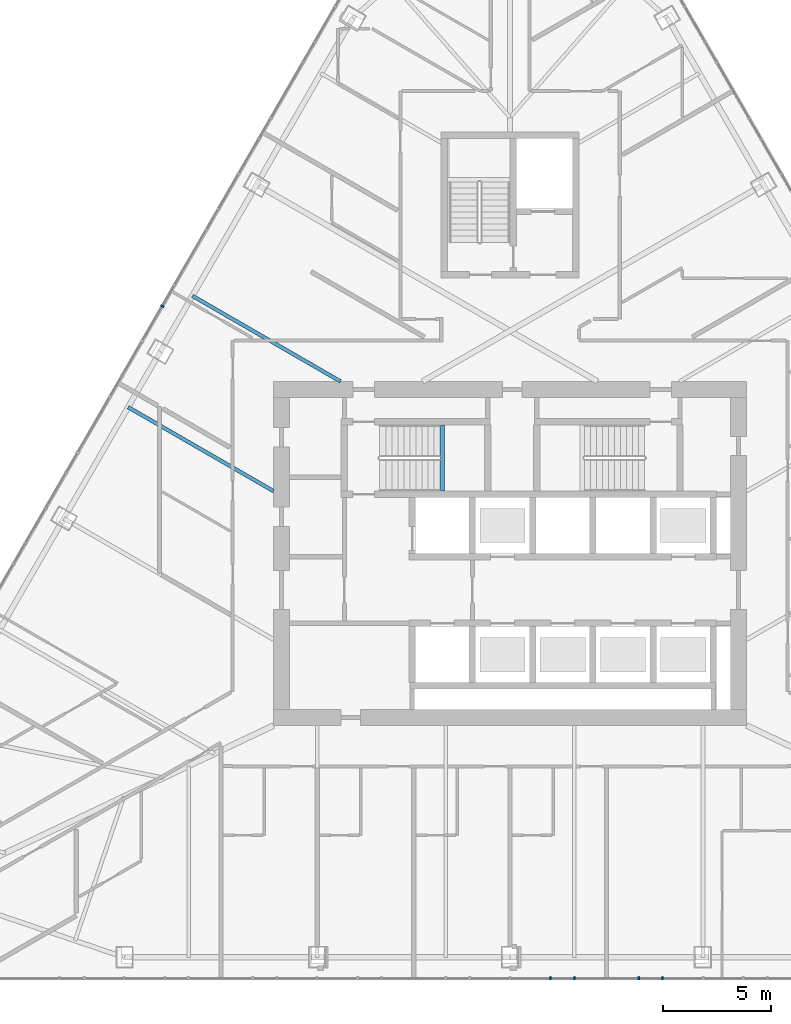
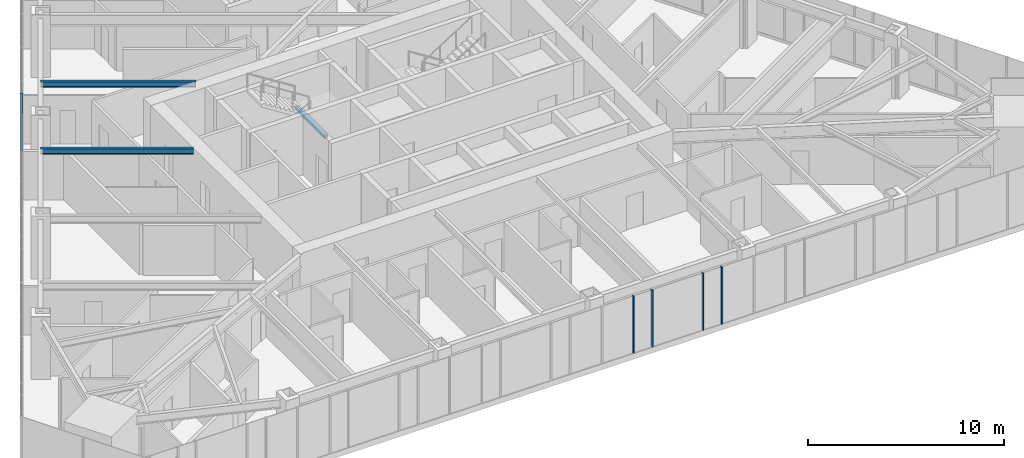
# One storey, part 6 of 26: 5 members, 3 beams, 2 elements without a shape of their own.
"""IFC4 building model written with IfcOpenShell, lengths in metres."""

from ifc_helpers import new_model, si_unit, direction, frame, origin, origin_2d, place, context, subcontext, project, spatial, rectangle, i_section, extrude, material, layer, layer_set, material_profile, profile_set, type_object, element, aggregate, save


model = new_model("IFC4")

# Units and contexts
model_context = context("Model", 3, precision=1e-05, world=origin(), true_north=direction((0.0, 1.0)))
body_context = subcontext(model_context, "Body", "Model", "MODEL_VIEW")
ifc_project = project(units=[si_unit("LENGTHUNIT", "METRE"), si_unit("AREAUNIT", "SQUARE_METRE"), si_unit("VOLUMEUNIT", "CUBIC_METRE"), si_unit("PLANEANGLEUNIT", "RADIAN"), si_unit("MASSUNIT", "GRAM", prefix="KILO")], contexts=[model_context])

# Site, building, storey
site_placement = place(None, origin())
site = spatial("IfcSite", under=ifc_project, at=site_placement, CompositionType="ELEMENT")
building_placement = place(site_placement, origin())
building = spatial("IfcBuilding", under=site, at=building_placement, Name="Firuza Gate Tower and Library", CompositionType="ELEMENT")
storey_placement = place(building_placement, frame((0.0, 0.0, 175.300048828125)))
storey = spatial("IfcBuildingStorey", under=building, at=storey_placement, Name="L40", CompositionType="ELEMENT", Elevation=175.300048828125)

# Curtain wall, members
ifc_material_1 = material(Name="Aluminium 6063-T6", Category="aluminium")
ifc_layer = layer(ifc_material_1, 0.14990234375)
ifc_layer_set = layer_set([ifc_layer], Name="Unitised curtain wall, hotel")
curtain_wall_type = type_object("IfcCurtainWallType", Name="Unitised curtain wall, hotel", PredefinedType="NOTDEFINED", material=ifc_layer_set)
placement = place(storey_placement, origin())
curtain_wall_1 = element("IfcCurtainWall", 1, at=placement, inside=storey, type_object=curtain_wall_type, Name="CW2 L40 S face", PredefinedType="NOTDEFINED")
ifc_material_2 = material(Name="Aluminium 6063-T6", Category="aluminium")
ifc_material_profile_1 = material_profile(ifc_material_2, rectangle(XDim=0.14990234375, YDim=0.080078125, at=origin_2d()))
ifc_profile_set_1 = profile_set([ifc_material_profile_1], Name="Aluminium 6063-T6")
member_type = type_object("IfcMemberType", Name="Curtain wall mullion 80x150", PredefinedType="MULLION", material=ifc_profile_set_1)
member_1_placement = place(storey_placement, frame((77.9921875, 55.24560546875, 0.14990234375), z_axis=(0.0, 0.0, 1.0), x_axis=(0.0, 1.0, 0.0)))
member_1 = element("IfcMember", 2, at=member_1_placement, type_object=member_type, Name="Mullion", PredefinedType="MULLION", context=body_context, shape_type="SweptSolid", body=[
    extrude(rectangle(XDim=0.14990234375, YDim=0.080078125, at=origin_2d()), origin(), (0.0, 0.0, 1.0), 3.550048828125),
])
member_2_placement = place(storey_placement, frame((80.984130859375, 55.24560546875, 0.14990234375), z_axis=(0.0, 0.0, 1.0), x_axis=(0.0, 1.0, 0.0)))
member_2 = element("IfcMember", 3, at=member_2_placement, type_object=member_type, Name="Mullion", PredefinedType="MULLION", context=body_context, shape_type="SweptSolid", body=[
    extrude(rectangle(XDim=0.14990234375, YDim=0.080078125, at=origin_2d()), origin(), (0.0, 0.0, 1.0), 3.550048828125),
])
member_3_placement = place(storey_placement, frame((76.8779296875, 55.24560546875, 0.14990234375), z_axis=(0.0, 0.0, 1.0), x_axis=(0.0, 1.0, 0.0)))
member_3 = element("IfcMember", 4, at=member_3_placement, type_object=member_type, Name="Mullion", PredefinedType="MULLION", context=body_context, shape_type="SweptSolid", body=[
    extrude(rectangle(XDim=0.14990234375, YDim=0.080078125, at=origin_2d()), origin(), (0.0, 0.0, 1.0), 3.550048828125),
])
member_4_placement = place(storey_placement, frame((82.083984375, 55.24560546875, 0.14990234375), z_axis=(0.0, 0.0, 1.0), x_axis=(0.0, 1.0, 0.0)))
member_4 = element("IfcMember", 5, at=member_4_placement, type_object=member_type, Name="Mullion", PredefinedType="MULLION", context=body_context, shape_type="SweptSolid", body=[
    extrude(rectangle(XDim=0.14990234375, YDim=0.080078125, at=origin_2d()), origin(), (0.0, 0.0, 1.0), 3.550048828125),
])
aggregate(curtain_wall_1, [member_1, member_2, member_3, member_4])

# Curtain wall, member
curtain_wall_2 = element("IfcCurtainWall", 6, at=placement, inside=storey, type_object=curtain_wall_type, Name="CW2 L40 W face", PredefinedType="NOTDEFINED")
member_5_placement = place(storey_placement, frame((58.8310546875, 86.503662109375, 0.14990234375), z_axis=(0.0, 0.0, 1.0), x_axis=(0.866025403784, -0.5, 0.0)))
member_5 = element("IfcMember", 7, at=member_5_placement, type_object=member_type, Name="Mullion", PredefinedType="MULLION", context=body_context, shape_type="SweptSolid", body=[
    extrude(rectangle(XDim=0.14990234375, YDim=0.080078125, at=origin_2d()), origin(), (0.0, 0.0, 1.0), 3.550048828125),
])
aggregate(curtain_wall_2, [member_5])

# Beams
ifc_material_3 = material(Name="Concrete C35/45", Category="concrete")
ifc_material_profile_2 = material_profile(ifc_material_3, rectangle(XDim=0.199951171875, YDim=0.199951171875, at=origin_2d()))
ifc_profile_set_2 = profile_set([ifc_material_profile_2], Name="Concrete C35/45")
beam_type_1 = type_object("IfcBeamType", Name="Stair landing bearer 200x200", PredefinedType="BEAM", material=ifc_profile_set_2)
beam_1_placement = place(storey_placement, frame((71.840087890625, 77.89990234375, 1.64990234375), z_axis=(0.0, 1.0, 0.0), x_axis=(-1.0, 0.0, 0.0)))
element("IfcBeam", 8, at=beam_1_placement, inside=storey, type_object=beam_type_1, Name="Landing bearer L40 stair 1", PredefinedType="BEAM", context=body_context, shape_type="SweptSolid", body=[
    extrude(rectangle(XDim=0.199951171875, YDim=0.199951171875, at=origin_2d()), origin(), (0.0, 0.0, 1.0), 3.080078125),
])
ifc_material_4 = material(Name="Steel S355", Category="steel")
ifc_material_profile_3 = material_profile(ifc_material_4, i_section(OverallWidth=0.1708984375, OverallDepth=0.35498046875, WebThickness=0.007080078125, FlangeThickness=0.01171875, at=origin_2d()))
ifc_profile_set_3 = profile_set([ifc_material_profile_3], Name="Steel S355")
beam_type_2 = type_object("IfcBeamType", Name="W360x51 Floor beam", PredefinedType="JOIST", material=ifc_profile_set_3)
beam_2_placement = place(storey_placement, frame((60.230224609375, 86.976806640625, 3.5224609375), z_axis=(0.866022521394, -0.500004992414, 0.0), x_axis=(0.500004992414, 0.866022521394, 0.0)))
element("IfcBeam", 9, at=beam_2_placement, inside=storey, type_object=beam_type_2, Name="Floor beam L40 s82", PredefinedType="JOIST", context=body_context, shape_type="SweptSolid", body=[
    extrude(i_section(OverallWidth=0.1708984375, OverallDepth=0.35498046875, WebThickness=0.007080078125, FlangeThickness=0.01171875, at=origin_2d()), origin(), (0.0, 0.0, 1.0), 7.95361328125),
])
beam_3_placement = place(storey_placement, frame((57.242919921875, 81.802734375, 3.5224609375), z_axis=(0.866016236382, -0.500015878071, 0.0), x_axis=(0.500015878071, 0.866016236382, 0.0)))
element("IfcBeam", 10, at=beam_3_placement, inside=storey, type_object=beam_type_2, Name="Floor beam L40 s83", PredefinedType="JOIST", context=body_context, shape_type="SweptSolid", body=[
    extrude(i_section(OverallWidth=0.1708984375, OverallDepth=0.35498046875, WebThickness=0.007080078125, FlangeThickness=0.01171875, at=origin_2d()), origin(), (0.0, 0.0, 1.0), 7.802490234375),
])

save(model, "model.ifc")
